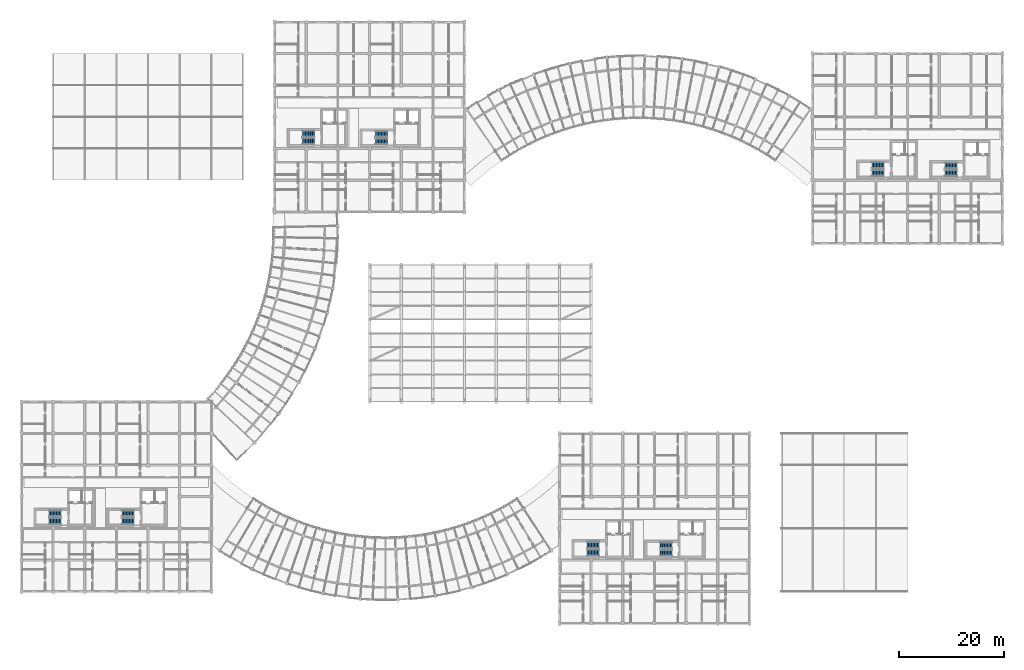
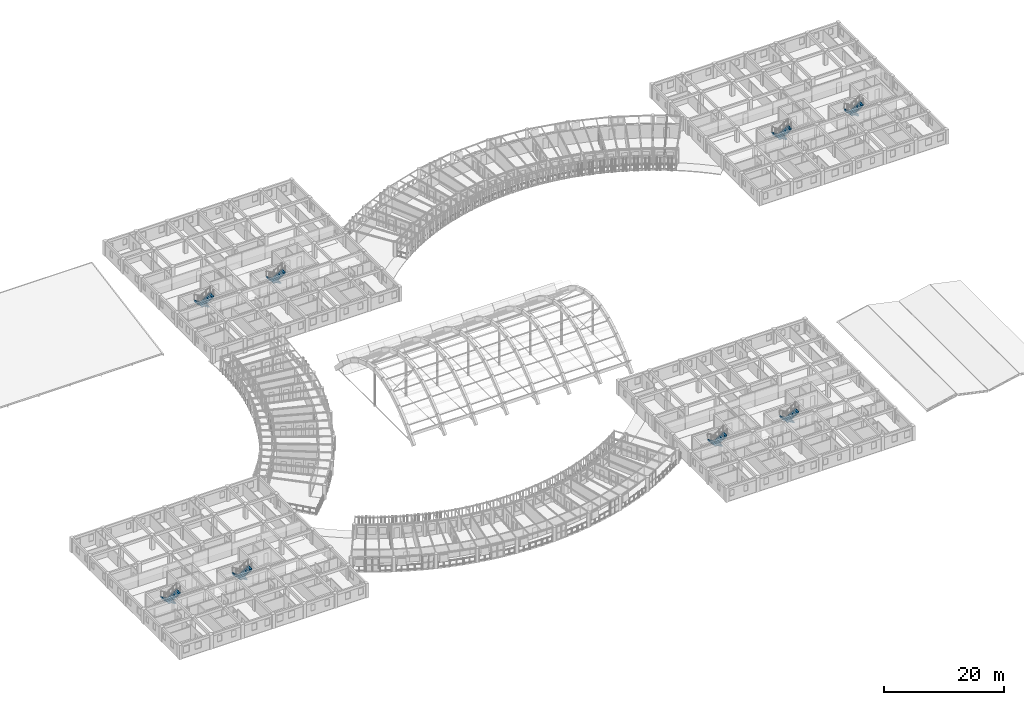
# One storey, part 102 of 123: 16 stair flights, 8 elements without a shape of their own.
"""IFC4 building model written with IfcOpenShell, lengths in metres."""

from ifc_helpers import new_model, si_unit, direction, frame, origin, place, context, subcontext, project, spatial, polyline, outline, extrude, material, type_object, element, aggregate, save


model = new_model("IFC4")

# Units and contexts
model_context = context("Model", 3, precision=1e-05, world=origin(), true_north=direction((0.0, 1.0)))
body_context = subcontext(model_context, "Body", "Model", "MODEL_VIEW")
ifc_project = project(units=[si_unit("LENGTHUNIT", "METRE"), si_unit("AREAUNIT", "SQUARE_METRE"), si_unit("VOLUMEUNIT", "CUBIC_METRE"), si_unit("PLANEANGLEUNIT", "RADIAN"), si_unit("MASSUNIT", "GRAM", prefix="KILO"), si_unit("POWERUNIT", "WATT"), si_unit("THERMODYNAMICTEMPERATUREUNIT", "KELVIN")], contexts=[model_context])

# Site, building, storey
site_placement = place(None, origin())
site = spatial("IfcSite", under=ifc_project, at=site_placement, CompositionType="ELEMENT")
building_placement = place(site_placement, origin())
building = spatial("IfcBuilding", under=site, at=building_placement, Name="Ruvembo Vaulted Housing Court", CompositionType="ELEMENT")
storey_placement = place(building_placement, frame((0.0, 0.0, 7.699951171875)))
storey = spatial("IfcBuildingStorey", under=building, at=storey_placement, Name="L02", CompositionType="ELEMENT", Elevation=7.699951171875)

# Stair, stair flights
ifc_material = material(Name="Concrete C35/45", Category="concrete")
stair_type_1 = type_object("IfcStairType", Name="STR-CORE-1200", PredefinedType="HALF_TURN_STAIR", material=ifc_material)
stair_1_placement = place(storey_placement, origin())
stair_1 = element("IfcStair", 1, at=stair_1_placement, inside=storey, type_object=stair_type_1, Name="L02 Protected Exit Stair ST-B2", PredefinedType="HALF_TURN_STAIR")
stair_flight_type_1 = type_object("IfcStairFlightType", Name="SFL-1200", PredefinedType="STRAIGHT", material=ifc_material)
stair_flight_1_placement = place(storey_placement, frame((69.35009765625, 92.75, 0.0), z_axis=(0.0, 0.0, 1.0), x_axis=(-1.0, 0.0, 0.0)))
stair_flight_1 = element("IfcStairFlight", 2, at=stair_flight_1_placement, type_object=stair_flight_type_1, Name="ST-B2 flight 1", NumberOfRisers=9, NumberOfTreads=8, PredefinedType="STRAIGHT", RiserHeight=0.177777778, TreadLength=0.28, context=body_context, shape_type="SweptSolid", body=[
    extrude(outline(polyline([(-0.02490234375, -0.0400390625), (-0.02490234375, 0.0), (0.0, 0.0), (0.0, 0.177734375), (0.280029296875, 0.177734375), (0.280029296875, 0.35546875), (0.56005859375, 0.35546875), (0.56005859375, 0.533447265625), (0.840087890625, 0.533447265625), (0.840087890625, 0.711181640625), (1.1201171875, 0.711181640625), (1.1201171875, 0.888916015625), (1.39990234375, 0.888916015625), (1.39990234375, 1.066650390625), (1.679931640625, 1.066650390625), (1.679931640625, 1.244384765625), (1.9599609375, 1.244384765625), (1.9599609375, 1.422119140625), (2.239990234375, 1.422119140625), (2.239990234375, 1.60009765625), (2.264892578125, 1.60009765625), (2.264892578125, 1.4501953125), (2.239990234375, 1.24462890625), (0.27978515625, 0.0), (0.0, -0.0400390625), (-0.02490234375, -0.0400390625)])), frame((0.0, 0.60009765625, 0.0), z_axis=(0.0, -1.0, 0.0), x_axis=(1.0, 0.0, 0.0)), (0.0, 0.0, 1.0), 1.199951171875),
])
stair_flight_2_placement = place(storey_placement, frame((67.110107421875, 91.35009765625, 1.60009765625), z_axis=(0.0, 0.0, 1.0), x_axis=(1.0, 0.0, 0.0)))
stair_flight_2 = element("IfcStairFlight", 3, at=stair_flight_2_placement, type_object=stair_flight_type_1, Name="ST-B2 flight 2", NumberOfRisers=9, NumberOfTreads=8, PredefinedType="STRAIGHT", RiserHeight=0.177777778, TreadLength=0.28, context=body_context, shape_type="SweptSolid", body=[
    extrude(outline(polyline([(-0.02490234375, -0.0400390625), (-0.02490234375, 0.0), (0.0, 0.0), (0.0, 0.177734375), (0.280029296875, 0.177734375), (0.280029296875, 0.35546875), (0.56005859375, 0.35546875), (0.56005859375, 0.533447265625), (0.840087890625, 0.533447265625), (0.840087890625, 0.711181640625), (1.1201171875, 0.711181640625), (1.1201171875, 0.888916015625), (1.39990234375, 0.888916015625), (1.39990234375, 1.066650390625), (1.679931640625, 1.066650390625), (1.679931640625, 1.244384765625), (1.9599609375, 1.244384765625), (1.9599609375, 1.422119140625), (2.239990234375, 1.422119140625), (2.239990234375, 1.60009765625), (2.264892578125, 1.60009765625), (2.264892578125, 1.4501953125), (2.239990234375, 1.24462890625), (0.27978515625, 0.0), (0.0, -0.0400390625), (-0.02490234375, -0.0400390625)])), frame((0.0, 0.60009765625, 0.0), z_axis=(0.0, -1.0, 0.0), x_axis=(1.0, 0.0, 0.0)), (0.0, 0.0, 1.0), 1.199951171875),
])
aggregate(stair_1, [stair_flight_1, stair_flight_2])

stair_2_placement = place(storey_placement, origin())
stair_2 = element("IfcStair", 4, at=stair_2_placement, inside=storey, type_object=stair_type_1, Name="L02 Protected Exit Stair ST-C2", PredefinedType="HALF_TURN_STAIR")
stair_flight_3_placement = place(storey_placement, frame((123.35009765625, 14.75, 0.0), z_axis=(0.0, 0.0, 1.0), x_axis=(-1.0, 0.0, 0.0)))
stair_flight_3 = element("IfcStairFlight", 5, at=stair_flight_3_placement, type_object=stair_flight_type_1, Name="ST-C2 flight 1", NumberOfRisers=9, NumberOfTreads=8, PredefinedType="STRAIGHT", RiserHeight=0.177777778, TreadLength=0.28, context=body_context, shape_type="SweptSolid", body=[
    extrude(outline(polyline([(-0.02490234375, -0.0400390625), (-0.02490234375, 0.0), (0.0, 0.0), (0.0, 0.177734375), (0.280029296875, 0.177734375), (0.280029296875, 0.35546875), (0.56005859375, 0.35546875), (0.56005859375, 0.533447265625), (0.840087890625, 0.533447265625), (0.840087890625, 0.711181640625), (1.1201171875, 0.711181640625), (1.1201171875, 0.888916015625), (1.39990234375, 0.888916015625), (1.39990234375, 1.066650390625), (1.679931640625, 1.066650390625), (1.679931640625, 1.244384765625), (1.9599609375, 1.244384765625), (1.9599609375, 1.422119140625), (2.239990234375, 1.422119140625), (2.239990234375, 1.60009765625), (2.264892578125, 1.60009765625), (2.264892578125, 1.4501953125), (2.239990234375, 1.24462890625), (0.27978515625, 0.0), (0.0, -0.0400390625), (-0.02490234375, -0.0400390625)])), frame((0.0, 0.60009765625, 0.0), z_axis=(0.0, -1.0, 0.0), x_axis=(1.0, 0.0, 0.0)), (0.0, 0.0, 1.0), 1.199951171875),
])
stair_flight_4_placement = place(storey_placement, frame((121.110107421875, 13.35009765625, 1.60009765625), z_axis=(0.0, 0.0, 1.0), x_axis=(1.0, 0.0, 0.0)))
stair_flight_4 = element("IfcStairFlight", 6, at=stair_flight_4_placement, type_object=stair_flight_type_1, Name="ST-C2 flight 2", NumberOfRisers=9, NumberOfTreads=8, PredefinedType="STRAIGHT", RiserHeight=0.177777778, TreadLength=0.28, context=body_context, shape_type="SweptSolid", body=[
    extrude(outline(polyline([(-0.02490234375, -0.0400390625), (-0.02490234375, 0.0), (0.0, 0.0), (0.0, 0.177734375), (0.280029296875, 0.177734375), (0.280029296875, 0.35546875), (0.56005859375, 0.35546875), (0.56005859375, 0.533447265625), (0.840087890625, 0.533447265625), (0.840087890625, 0.711181640625), (1.1201171875, 0.711181640625), (1.1201171875, 0.888916015625), (1.39990234375, 0.888916015625), (1.39990234375, 1.066650390625), (1.679931640625, 1.066650390625), (1.679931640625, 1.244384765625), (1.9599609375, 1.244384765625), (1.9599609375, 1.422119140625), (2.239990234375, 1.422119140625), (2.239990234375, 1.60009765625), (2.264892578125, 1.60009765625), (2.264892578125, 1.4501953125), (2.239990234375, 1.24462890625), (0.27978515625, 0.0), (0.0, -0.0400390625), (-0.02490234375, -0.0400390625)])), frame((0.0, 0.60009765625, 0.0), z_axis=(0.0, -1.0, 0.0), x_axis=(1.0, 0.0, 0.0)), (0.0, 0.0, 1.0), 1.199951171875),
])
aggregate(stair_2, [stair_flight_3, stair_flight_4])

stair_3_placement = place(storey_placement, origin())
stair_3 = element("IfcStair", 7, at=stair_3_placement, inside=storey, type_object=stair_type_1, Name="L02 Protected Exit Stair ST-D2", PredefinedType="HALF_TURN_STAIR")
stair_flight_5_placement = place(storey_placement, frame((177.35009765625, 86.75, 0.0), z_axis=(0.0, 0.0, 1.0), x_axis=(-1.0, 0.0, 0.0)))
stair_flight_5 = element("IfcStairFlight", 8, at=stair_flight_5_placement, type_object=stair_flight_type_1, Name="ST-D2 flight 1", NumberOfRisers=9, NumberOfTreads=8, PredefinedType="STRAIGHT", RiserHeight=0.177777778, TreadLength=0.28, context=body_context, shape_type="SweptSolid", body=[
    extrude(outline(polyline([(-0.02490234375, -0.0400390625), (-0.02490234375, 0.0), (0.0, 0.0), (0.0, 0.177734375), (0.280029296875, 0.177734375), (0.280029296875, 0.35546875), (0.56005859375, 0.35546875), (0.56005859375, 0.533447265625), (0.840087890625, 0.533447265625), (0.840087890625, 0.711181640625), (1.1201171875, 0.711181640625), (1.1201171875, 0.888916015625), (1.39990234375, 0.888916015625), (1.39990234375, 1.066650390625), (1.679931640625, 1.066650390625), (1.679931640625, 1.244384765625), (1.9599609375, 1.244384765625), (1.9599609375, 1.422119140625), (2.239990234375, 1.422119140625), (2.239990234375, 1.60009765625), (2.264892578125, 1.60009765625), (2.264892578125, 1.4501953125), (2.239990234375, 1.24462890625), (0.27978515625, 0.0), (0.0, -0.0400390625), (-0.02490234375, -0.0400390625)])), frame((0.0, 0.60009765625, 0.0), z_axis=(0.0, -1.0, 0.0), x_axis=(1.0, 0.0, 0.0)), (0.0, 0.0, 1.0), 1.199951171875),
])
stair_flight_6_placement = place(storey_placement, frame((175.110107421875, 85.35009765625, 1.60009765625), z_axis=(0.0, 0.0, 1.0), x_axis=(1.0, 0.0, 0.0)))
stair_flight_6 = element("IfcStairFlight", 9, at=stair_flight_6_placement, type_object=stair_flight_type_1, Name="ST-D2 flight 2", NumberOfRisers=9, NumberOfTreads=8, PredefinedType="STRAIGHT", RiserHeight=0.177777778, TreadLength=0.28, context=body_context, shape_type="SweptSolid", body=[
    extrude(outline(polyline([(-0.02490234375, -0.0400390625), (-0.02490234375, 0.0), (0.0, 0.0), (0.0, 0.177734375), (0.280029296875, 0.177734375), (0.280029296875, 0.35546875), (0.56005859375, 0.35546875), (0.56005859375, 0.533447265625), (0.840087890625, 0.533447265625), (0.840087890625, 0.711181640625), (1.1201171875, 0.711181640625), (1.1201171875, 0.888916015625), (1.39990234375, 0.888916015625), (1.39990234375, 1.066650390625), (1.679931640625, 1.066650390625), (1.679931640625, 1.244384765625), (1.9599609375, 1.244384765625), (1.9599609375, 1.422119140625), (2.239990234375, 1.422119140625), (2.239990234375, 1.60009765625), (2.264892578125, 1.60009765625), (2.264892578125, 1.4501953125), (2.239990234375, 1.24462890625), (0.27978515625, 0.0), (0.0, -0.0400390625), (-0.02490234375, -0.0400390625)])), frame((0.0, 0.60009765625, 0.0), z_axis=(0.0, -1.0, 0.0), x_axis=(1.0, 0.0, 0.0)), (0.0, 0.0, 1.0), 1.199951171875),
])
aggregate(stair_3, [stair_flight_5, stair_flight_6])

stair_type_2 = type_object("IfcStairType", Name="STR-CORE-1250", PredefinedType="HALF_TURN_STAIR", material=ifc_material)
stair_4_placement = place(storey_placement, origin())
stair_4 = element("IfcStair", 10, at=stair_4_placement, inside=storey, type_object=stair_type_2, Name="L02 Protected Exit Stair ST-A1", PredefinedType="HALF_TURN_STAIR")
stair_flight_type_2 = type_object("IfcStairFlightType", Name="SFL-1250", PredefinedType="STRAIGHT", material=ifc_material)
stair_flight_7_placement = place(storey_placement, frame((7.5, 20.824951171875, 0.0), z_axis=(0.0, 0.0, 1.0), x_axis=(-1.0, 0.0, 0.0)))
stair_flight_7 = element("IfcStairFlight", 11, at=stair_flight_7_placement, type_object=stair_flight_type_2, Name="ST-A1 flight 1", NumberOfRisers=9, NumberOfTreads=8, PredefinedType="STRAIGHT", RiserHeight=0.177777778, TreadLength=0.28, context=body_context, shape_type="SweptSolid", body=[
    extrude(outline(polyline([(-0.02490234375, -0.0400390625), (-0.02490234375, 0.0), (0.0, 0.0), (0.0, 0.177734375), (0.280029296875, 0.177734375), (0.280029296875, 0.35546875), (0.56005859375, 0.35546875), (0.56005859375, 0.533447265625), (0.840087890625, 0.533447265625), (0.840087890625, 0.711181640625), (1.1201171875, 0.711181640625), (1.1201171875, 0.888916015625), (1.39990234375, 0.888916015625), (1.39990234375, 1.066650390625), (1.679931640625, 1.066650390625), (1.679931640625, 1.244384765625), (1.9599609375, 1.244384765625), (1.9599609375, 1.422119140625), (2.239990234375, 1.422119140625), (2.239990234375, 1.60009765625), (2.264892578125, 1.60009765625), (2.264892578125, 1.4501953125), (2.239990234375, 1.24462890625), (0.27978515625, 0.0), (0.0, -0.0400390625), (-0.02490234375, -0.0400390625)])), frame((0.0, 0.625, 0.0), z_axis=(0.0, -1.0, 0.0), x_axis=(1.0, 0.0, 0.0)), (0.0, 0.0, 1.0), 1.25),
])
stair_flight_8_placement = place(storey_placement, frame((5.260009765625, 19.375, 1.60009765625), z_axis=(0.0, 0.0, 1.0), x_axis=(1.0, 0.0, 0.0)))
stair_flight_8 = element("IfcStairFlight", 12, at=stair_flight_8_placement, type_object=stair_flight_type_2, Name="ST-A1 flight 2", NumberOfRisers=9, NumberOfTreads=8, PredefinedType="STRAIGHT", RiserHeight=0.177777778, TreadLength=0.28, context=body_context, shape_type="SweptSolid", body=[
    extrude(outline(polyline([(-0.02490234375, -0.0400390625), (-0.02490234375, 0.0), (0.0, 0.0), (0.0, 0.177734375), (0.280029296875, 0.177734375), (0.280029296875, 0.35546875), (0.56005859375, 0.35546875), (0.56005859375, 0.533447265625), (0.840087890625, 0.533447265625), (0.840087890625, 0.711181640625), (1.1201171875, 0.711181640625), (1.1201171875, 0.888916015625), (1.39990234375, 0.888916015625), (1.39990234375, 1.066650390625), (1.679931640625, 1.066650390625), (1.679931640625, 1.244384765625), (1.9599609375, 1.244384765625), (1.9599609375, 1.422119140625), (2.239990234375, 1.422119140625), (2.239990234375, 1.60009765625), (2.264892578125, 1.60009765625), (2.264892578125, 1.4501953125), (2.239990234375, 1.24462890625), (0.27978515625, 0.0), (0.0, -0.0400390625), (-0.02490234375, -0.0400390625)])), frame((0.0, 0.625, 0.0), z_axis=(0.0, -1.0, 0.0), x_axis=(1.0, 0.0, 0.0)), (0.0, 0.0, 1.0), 1.25),
])
aggregate(stair_4, [stair_flight_7, stair_flight_8])

stair_5_placement = place(storey_placement, origin())
stair_5 = element("IfcStair", 13, at=stair_5_placement, inside=storey, type_object=stair_type_2, Name="L02 Protected Exit Stair ST-A2", PredefinedType="HALF_TURN_STAIR")
stair_flight_9_placement = place(storey_placement, frame((21.300048828125, 20.824951171875, 0.0), z_axis=(0.0, 0.0, 1.0), x_axis=(-1.0, 0.0, 0.0)))
stair_flight_9 = element("IfcStairFlight", 14, at=stair_flight_9_placement, type_object=stair_flight_type_2, Name="ST-A2 flight 1", NumberOfRisers=9, NumberOfTreads=8, PredefinedType="STRAIGHT", RiserHeight=0.177777778, TreadLength=0.28, context=body_context, shape_type="SweptSolid", body=[
    extrude(outline(polyline([(-0.02490234375, -0.0400390625), (-0.02490234375, 0.0), (0.0, 0.0), (0.0, 0.177734375), (0.280029296875, 0.177734375), (0.280029296875, 0.35546875), (0.56005859375, 0.35546875), (0.56005859375, 0.533447265625), (0.840087890625, 0.533447265625), (0.840087890625, 0.711181640625), (1.1201171875, 0.711181640625), (1.1201171875, 0.888916015625), (1.39990234375, 0.888916015625), (1.39990234375, 1.066650390625), (1.679931640625, 1.066650390625), (1.679931640625, 1.244384765625), (1.9599609375, 1.244384765625), (1.9599609375, 1.422119140625), (2.239990234375, 1.422119140625), (2.239990234375, 1.60009765625), (2.264892578125, 1.60009765625), (2.264892578125, 1.4501953125), (2.239990234375, 1.24462890625), (0.27978515625, 0.0), (0.0, -0.0400390625), (-0.02490234375, -0.0400390625)])), frame((0.0, 0.625, 0.0), z_axis=(0.0, -1.0, 0.0), x_axis=(1.0, 0.0, 0.0)), (0.0, 0.0, 1.0), 1.25),
])
stair_flight_10_placement = place(storey_placement, frame((19.06005859375, 19.375, 1.60009765625), z_axis=(0.0, 0.0, 1.0), x_axis=(1.0, 0.0, 0.0)))
stair_flight_10 = element("IfcStairFlight", 15, at=stair_flight_10_placement, type_object=stair_flight_type_2, Name="ST-A2 flight 2", NumberOfRisers=9, NumberOfTreads=8, PredefinedType="STRAIGHT", RiserHeight=0.177777778, TreadLength=0.28, context=body_context, shape_type="SweptSolid", body=[
    extrude(outline(polyline([(-0.02490234375, -0.0400390625), (-0.02490234375, 0.0), (0.0, 0.0), (0.0, 0.177734375), (0.280029296875, 0.177734375), (0.280029296875, 0.35546875), (0.56005859375, 0.35546875), (0.56005859375, 0.533447265625), (0.840087890625, 0.533447265625), (0.840087890625, 0.711181640625), (1.1201171875, 0.711181640625), (1.1201171875, 0.888916015625), (1.39990234375, 0.888916015625), (1.39990234375, 1.066650390625), (1.679931640625, 1.066650390625), (1.679931640625, 1.244384765625), (1.9599609375, 1.244384765625), (1.9599609375, 1.422119140625), (2.239990234375, 1.422119140625), (2.239990234375, 1.60009765625), (2.264892578125, 1.60009765625), (2.264892578125, 1.4501953125), (2.239990234375, 1.24462890625), (0.27978515625, 0.0), (0.0, -0.0400390625), (-0.02490234375, -0.0400390625)])), frame((0.0, 0.625, 0.0), z_axis=(0.0, -1.0, 0.0), x_axis=(1.0, 0.0, 0.0)), (0.0, 0.0, 1.0), 1.25),
])
aggregate(stair_5, [stair_flight_9, stair_flight_10])

stair_6_placement = place(storey_placement, origin())
stair_6 = element("IfcStair", 16, at=stair_6_placement, inside=storey, type_object=stair_type_2, Name="L02 Protected Exit Stair ST-B1", PredefinedType="HALF_TURN_STAIR")
stair_flight_11_placement = place(storey_placement, frame((55.5, 92.824951171875, 0.0), z_axis=(0.0, 0.0, 1.0), x_axis=(-1.0, 0.0, 0.0)))
stair_flight_11 = element("IfcStairFlight", 17, at=stair_flight_11_placement, type_object=stair_flight_type_2, Name="ST-B1 flight 1", NumberOfRisers=9, NumberOfTreads=8, PredefinedType="STRAIGHT", RiserHeight=0.177777778, TreadLength=0.28, context=body_context, shape_type="SweptSolid", body=[
    extrude(outline(polyline([(-0.02490234375, -0.0400390625), (-0.02490234375, 0.0), (0.0, 0.0), (0.0, 0.177734375), (0.280029296875, 0.177734375), (0.280029296875, 0.35546875), (0.56005859375, 0.35546875), (0.56005859375, 0.533447265625), (0.840087890625, 0.533447265625), (0.840087890625, 0.711181640625), (1.1201171875, 0.711181640625), (1.1201171875, 0.888916015625), (1.39990234375, 0.888916015625), (1.39990234375, 1.066650390625), (1.679931640625, 1.066650390625), (1.679931640625, 1.244384765625), (1.9599609375, 1.244384765625), (1.9599609375, 1.422119140625), (2.239990234375, 1.422119140625), (2.239990234375, 1.60009765625), (2.264892578125, 1.60009765625), (2.264892578125, 1.4501953125), (2.239990234375, 1.24462890625), (0.27978515625, 0.0), (0.0, -0.0400390625), (-0.02490234375, -0.0400390625)])), frame((0.0, 0.625, 0.0), z_axis=(0.0, -1.0, 0.0), x_axis=(1.0, 0.0, 0.0)), (0.0, 0.0, 1.0), 1.25),
])
stair_flight_12_placement = place(storey_placement, frame((53.260009765625, 91.375, 1.60009765625), z_axis=(0.0, 0.0, 1.0), x_axis=(1.0, 0.0, 0.0)))
stair_flight_12 = element("IfcStairFlight", 18, at=stair_flight_12_placement, type_object=stair_flight_type_2, Name="ST-B1 flight 2", NumberOfRisers=9, NumberOfTreads=8, PredefinedType="STRAIGHT", RiserHeight=0.177777778, TreadLength=0.28, context=body_context, shape_type="SweptSolid", body=[
    extrude(outline(polyline([(-0.02490234375, -0.0400390625), (-0.02490234375, 0.0), (0.0, 0.0), (0.0, 0.177734375), (0.280029296875, 0.177734375), (0.280029296875, 0.35546875), (0.56005859375, 0.35546875), (0.56005859375, 0.533447265625), (0.840087890625, 0.533447265625), (0.840087890625, 0.711181640625), (1.1201171875, 0.711181640625), (1.1201171875, 0.888916015625), (1.39990234375, 0.888916015625), (1.39990234375, 1.066650390625), (1.679931640625, 1.066650390625), (1.679931640625, 1.244384765625), (1.9599609375, 1.244384765625), (1.9599609375, 1.422119140625), (2.239990234375, 1.422119140625), (2.239990234375, 1.60009765625), (2.264892578125, 1.60009765625), (2.264892578125, 1.4501953125), (2.239990234375, 1.24462890625), (0.27978515625, 0.0), (0.0, -0.0400390625), (-0.02490234375, -0.0400390625)])), frame((0.0, 0.625, 0.0), z_axis=(0.0, -1.0, 0.0), x_axis=(1.0, 0.0, 0.0)), (0.0, 0.0, 1.0), 1.25),
])
aggregate(stair_6, [stair_flight_11, stair_flight_12])

stair_7_placement = place(storey_placement, origin())
stair_7 = element("IfcStair", 19, at=stair_7_placement, inside=storey, type_object=stair_type_2, Name="L02 Protected Exit Stair ST-C1", PredefinedType="HALF_TURN_STAIR")
stair_flight_13_placement = place(storey_placement, frame((109.5, 14.824951171875, 0.0), z_axis=(0.0, 0.0, 1.0), x_axis=(-1.0, 0.0, 0.0)))
stair_flight_13 = element("IfcStairFlight", 20, at=stair_flight_13_placement, type_object=stair_flight_type_2, Name="ST-C1 flight 1", NumberOfRisers=9, NumberOfTreads=8, PredefinedType="STRAIGHT", RiserHeight=0.177777778, TreadLength=0.28, context=body_context, shape_type="SweptSolid", body=[
    extrude(outline(polyline([(-0.02490234375, -0.0400390625), (-0.02490234375, 0.0), (0.0, 0.0), (0.0, 0.177734375), (0.280029296875, 0.177734375), (0.280029296875, 0.35546875), (0.56005859375, 0.35546875), (0.56005859375, 0.533447265625), (0.840087890625, 0.533447265625), (0.840087890625, 0.711181640625), (1.1201171875, 0.711181640625), (1.1201171875, 0.888916015625), (1.39990234375, 0.888916015625), (1.39990234375, 1.066650390625), (1.679931640625, 1.066650390625), (1.679931640625, 1.244384765625), (1.9599609375, 1.244384765625), (1.9599609375, 1.422119140625), (2.239990234375, 1.422119140625), (2.239990234375, 1.60009765625), (2.264892578125, 1.60009765625), (2.264892578125, 1.4501953125), (2.239990234375, 1.24462890625), (0.27978515625, 0.0), (0.0, -0.0400390625), (-0.02490234375, -0.0400390625)])), frame((0.0, 0.625, 0.0), z_axis=(0.0, -1.0, 0.0), x_axis=(1.0, 0.0, 0.0)), (0.0, 0.0, 1.0), 1.25),
])
stair_flight_14_placement = place(storey_placement, frame((107.260009765625, 13.375, 1.60009765625), z_axis=(0.0, 0.0, 1.0), x_axis=(1.0, 0.0, 0.0)))
stair_flight_14 = element("IfcStairFlight", 21, at=stair_flight_14_placement, type_object=stair_flight_type_2, Name="ST-C1 flight 2", NumberOfRisers=9, NumberOfTreads=8, PredefinedType="STRAIGHT", RiserHeight=0.177777778, TreadLength=0.28, context=body_context, shape_type="SweptSolid", body=[
    extrude(outline(polyline([(-0.02490234375, -0.0400390625), (-0.02490234375, 0.0), (0.0, 0.0), (0.0, 0.177734375), (0.280029296875, 0.177734375), (0.280029296875, 0.35546875), (0.56005859375, 0.35546875), (0.56005859375, 0.533447265625), (0.840087890625, 0.533447265625), (0.840087890625, 0.711181640625), (1.1201171875, 0.711181640625), (1.1201171875, 0.888916015625), (1.39990234375, 0.888916015625), (1.39990234375, 1.066650390625), (1.679931640625, 1.066650390625), (1.679931640625, 1.244384765625), (1.9599609375, 1.244384765625), (1.9599609375, 1.422119140625), (2.239990234375, 1.422119140625), (2.239990234375, 1.60009765625), (2.264892578125, 1.60009765625), (2.264892578125, 1.4501953125), (2.239990234375, 1.24462890625), (0.27978515625, 0.0), (0.0, -0.0400390625), (-0.02490234375, -0.0400390625)])), frame((0.0, 0.625, 0.0), z_axis=(0.0, -1.0, 0.0), x_axis=(1.0, 0.0, 0.0)), (0.0, 0.0, 1.0), 1.25),
])
aggregate(stair_7, [stair_flight_13, stair_flight_14])

stair_8_placement = place(storey_placement, origin())
stair_8 = element("IfcStair", 22, at=stair_8_placement, inside=storey, type_object=stair_type_2, Name="L02 Protected Exit Stair ST-D1", PredefinedType="HALF_TURN_STAIR")
stair_flight_15_placement = place(storey_placement, frame((163.5, 86.824951171875, 0.0), z_axis=(0.0, 0.0, 1.0), x_axis=(-1.0, 0.0, 0.0)))
stair_flight_15 = element("IfcStairFlight", 23, at=stair_flight_15_placement, type_object=stair_flight_type_2, Name="ST-D1 flight 1", NumberOfRisers=9, NumberOfTreads=8, PredefinedType="STRAIGHT", RiserHeight=0.177777778, TreadLength=0.28, context=body_context, shape_type="SweptSolid", body=[
    extrude(outline(polyline([(-0.02490234375, -0.0400390625), (-0.02490234375, 0.0), (0.0, 0.0), (0.0, 0.177734375), (0.280029296875, 0.177734375), (0.280029296875, 0.35546875), (0.56005859375, 0.35546875), (0.56005859375, 0.533447265625), (0.840087890625, 0.533447265625), (0.840087890625, 0.711181640625), (1.1201171875, 0.711181640625), (1.1201171875, 0.888916015625), (1.39990234375, 0.888916015625), (1.39990234375, 1.066650390625), (1.679931640625, 1.066650390625), (1.679931640625, 1.244384765625), (1.9599609375, 1.244384765625), (1.9599609375, 1.422119140625), (2.239990234375, 1.422119140625), (2.239990234375, 1.60009765625), (2.264892578125, 1.60009765625), (2.264892578125, 1.4501953125), (2.239990234375, 1.24462890625), (0.27978515625, 0.0), (0.0, -0.0400390625), (-0.02490234375, -0.0400390625)])), frame((0.0, 0.625, 0.0), z_axis=(0.0, -1.0, 0.0), x_axis=(1.0, 0.0, 0.0)), (0.0, 0.0, 1.0), 1.25),
])
stair_flight_16_placement = place(storey_placement, frame((161.260009765625, 85.375, 1.60009765625), z_axis=(0.0, 0.0, 1.0), x_axis=(1.0, 0.0, 0.0)))
stair_flight_16 = element("IfcStairFlight", 24, at=stair_flight_16_placement, type_object=stair_flight_type_2, Name="ST-D1 flight 2", NumberOfRisers=9, NumberOfTreads=8, PredefinedType="STRAIGHT", RiserHeight=0.177777778, TreadLength=0.28, context=body_context, shape_type="SweptSolid", body=[
    extrude(outline(polyline([(-0.02490234375, -0.0400390625), (-0.02490234375, 0.0), (0.0, 0.0), (0.0, 0.177734375), (0.280029296875, 0.177734375), (0.280029296875, 0.35546875), (0.56005859375, 0.35546875), (0.56005859375, 0.533447265625), (0.840087890625, 0.533447265625), (0.840087890625, 0.711181640625), (1.1201171875, 0.711181640625), (1.1201171875, 0.888916015625), (1.39990234375, 0.888916015625), (1.39990234375, 1.066650390625), (1.679931640625, 1.066650390625), (1.679931640625, 1.244384765625), (1.9599609375, 1.244384765625), (1.9599609375, 1.422119140625), (2.239990234375, 1.422119140625), (2.239990234375, 1.60009765625), (2.264892578125, 1.60009765625), (2.264892578125, 1.4501953125), (2.239990234375, 1.24462890625), (0.27978515625, 0.0), (0.0, -0.0400390625), (-0.02490234375, -0.0400390625)])), frame((0.0, 0.625, 0.0), z_axis=(0.0, -1.0, 0.0), x_axis=(1.0, 0.0, 0.0)), (0.0, 0.0, 1.0), 1.25),
])
aggregate(stair_8, [stair_flight_15, stair_flight_16])

save(model, "model.ifc")
